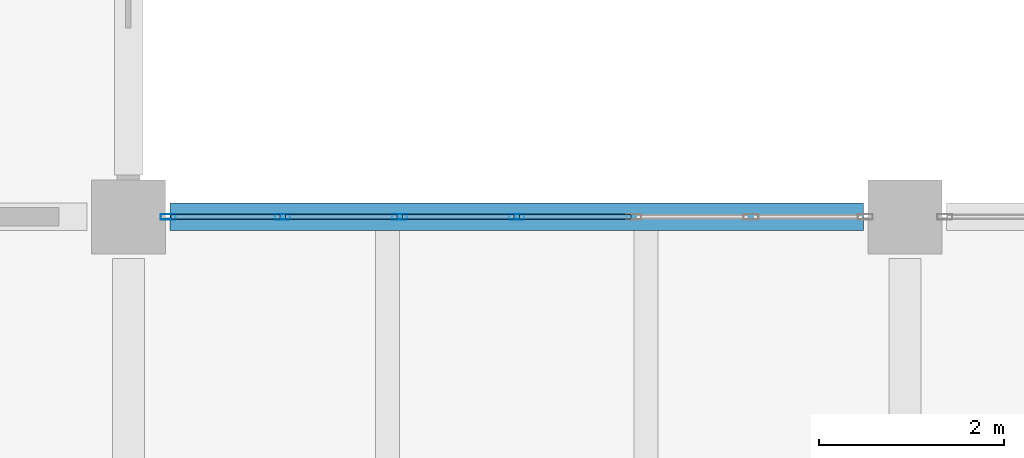
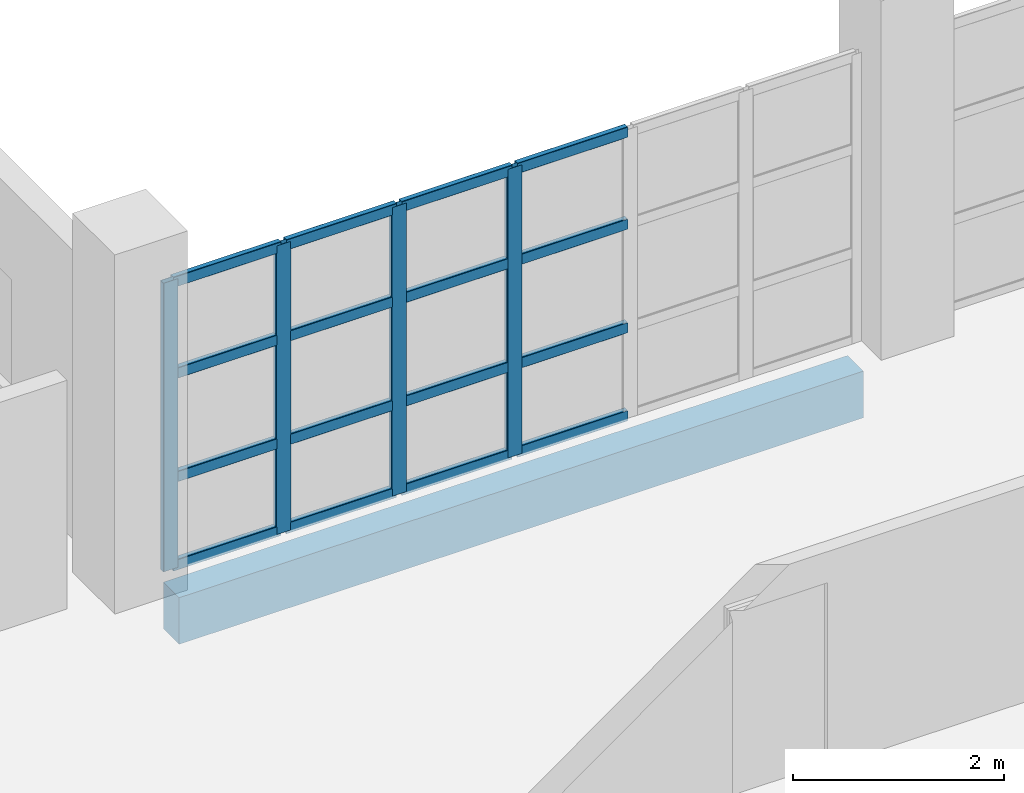
# One storey, part 23 of 177: 20 members, 1 beam, 1 element without a shape of its own.
"""IFC4 building model written with IfcOpenShell, lengths in metres."""

from ifc_helpers import new_model, si_unit, direction, frame, origin, origin_2d, place, context, subcontext, project, spatial, rectangle, hollow_rectangle, extrude, material, layer, layer_set, material_profile, profile_set, type_object, element, aggregate, save


model = new_model("IFC4")

# Units and contexts
model_context = context("Model", 3, precision=1e-05, world=origin(), true_north=direction((0.0, 1.0)))
body_context = subcontext(model_context, "Body", "Model", "MODEL_VIEW")
ifc_project = project(units=[si_unit("LENGTHUNIT", "METRE"), si_unit("AREAUNIT", "SQUARE_METRE"), si_unit("VOLUMEUNIT", "CUBIC_METRE"), si_unit("PLANEANGLEUNIT", "RADIAN"), si_unit("MASSUNIT", "GRAM", prefix="KILO"), si_unit("THERMODYNAMICTEMPERATUREUNIT", "KELVIN"), si_unit("POWERUNIT", "WATT")], contexts=[model_context])

# Site, building, storey
site_placement = place(None, origin())
site = spatial("IfcSite", under=ifc_project, at=site_placement, CompositionType="ELEMENT")
building_placement = place(site_placement, origin())
building = spatial("IfcBuilding", under=site, at=building_placement, Name="Mavoryth Pier Ferry Terminal", CompositionType="ELEMENT")
storey_placement = place(building_placement, frame((0.0, 0.0, 5.43994140625)))
storey = spatial("IfcBuildingStorey", under=building, at=storey_placement, Name="L01", CompositionType="ELEMENT", Elevation=5.43994140625)

# Curtain wall, members
ifc_material_1 = material(Name="Anodised Aluminium and Solar-Control Low-E Glass", Category="aluminium")
ifc_layer = layer(ifc_material_1, 0.239990234375, Name="Anodised Aluminium and Solar-Control Low-E Glass", Category="aluminium")
ifc_layer_set = layer_set([ifc_layer], Name="Anodised Aluminium and Solar-Control Low-E Glass - CW-Operations-Mod1200")
curtain_wall_type = type_object("IfcCurtainWallType", Name="CW-Operations-Mod1200", PredefinedType="USERDEFINED", material=ifc_layer_set)
curtain_wall_placement = place(storey_placement, origin())
curtain_wall = element("IfcCurtainWall", 1, at=curtain_wall_placement, inside=storey, type_object=curtain_wall_type, Name="Curtain Wall CW-0122-113", ObjectType="UNITISED CURTAIN WALL", PredefinedType="USERDEFINED")
ifc_material_2 = material(Name="Anodised Aluminium EN AW-6063", Category="aluminium")
ifc_material_profile_1 = material_profile(ifc_material_2, hollow_rectangle(XDim=0.06005859375, YDim=0.1650390625, WallThickness=0.00390625, InnerFilletRadius=0.00390625, OuterFilletRadius=0.008056640625, at=origin_2d()), Name="AL-MULL 165x60x4", Category="aluminium")
ifc_profile_set_1 = profile_set([ifc_material_profile_1], Name="Anodised Aluminium EN AW-6063 - AL-MULL 165x60x4")
member_type_1 = type_object("IfcMemberType", Name="Mullion-Alum-165x60", PredefinedType="MULLION", material=ifc_profile_set_1)
member_1_placement = place(storey_placement, frame((63.0, 22.0, 0.0), z_axis=(0.0, 0.0, 1.0), x_axis=(0.0, -1.0, 0.0)))
member_1 = element("IfcMember", 2, at=member_1_placement, type_object=member_type_1, Name="CW06 mullion 4", PredefinedType="MULLION", context=body_context, shape_type="SweptSolid", body=[
    extrude(hollow_rectangle(XDim=0.06005859375, YDim=0.1650390625, WallThickness=0.00390625, InnerFilletRadius=0.00390625, OuterFilletRadius=0.008056640625, at=origin_2d()), origin(), (0.0, 0.0, 1.0), 3.344970703125),
])
member_2_placement = place(storey_placement, frame((61.7333984375, 22.0, 0.0), z_axis=(0.0, 0.0, 1.0), x_axis=(0.0, -1.0, 0.0)))
member_2 = element("IfcMember", 3, at=member_2_placement, type_object=member_type_1, Name="CW06 mullion 5", PredefinedType="MULLION", context=body_context, shape_type="SweptSolid", body=[
    extrude(hollow_rectangle(XDim=0.06005859375, YDim=0.1650390625, WallThickness=0.00390625, InnerFilletRadius=0.00390625, OuterFilletRadius=0.008056640625, at=origin_2d()), origin(), (0.0, 0.0, 1.0), 3.344970703125),
])
member_3_placement = place(storey_placement, frame((60.466552734375, 22.0, 0.0), z_axis=(0.0, 0.0, 1.0), x_axis=(0.0, -1.0, 0.0)))
member_3 = element("IfcMember", 4, at=member_3_placement, type_object=member_type_1, Name="CW06 mullion 6", PredefinedType="MULLION", context=body_context, shape_type="SweptSolid", body=[
    extrude(hollow_rectangle(XDim=0.06005859375, YDim=0.1650390625, WallThickness=0.00390625, InnerFilletRadius=0.00390625, OuterFilletRadius=0.008056640625, at=origin_2d()), origin(), (0.0, 0.0, 1.0), 3.344970703125),
])
member_4_placement = place(storey_placement, frame((59.22998046875, 22.0, 0.0), z_axis=(0.0, 0.0, 1.0), x_axis=(0.0, -1.0, 0.0)))
member_4 = element("IfcMember", 5, at=member_4_placement, type_object=member_type_1, Name="CW06 mullion 7", PredefinedType="MULLION", context=body_context, shape_type="SweptSolid", body=[
    extrude(hollow_rectangle(XDim=0.06005859375, YDim=0.1650390625, WallThickness=0.00390625, InnerFilletRadius=0.00390625, OuterFilletRadius=0.008056640625, at=origin_2d()), origin(), (0.0, 0.0, 1.0), 3.344970703125),
])

# Beam
ifc_material_3 = material(Name="Concrete C35/45", Category="concrete")
ifc_material_profile_2 = material_profile(ifc_material_3, rectangle(XDim=0.300048828125, YDim=0.5400390625, at=origin_2d()), Name="RC 300x540", Category="concrete")
ifc_profile_set_2 = profile_set([ifc_material_profile_2], Name="Concrete C35/45 - RC 300x540")
beam_type = type_object("IfcBeamType", Name="Spandrel-RC-300x540", PredefinedType="SPANDREL", material=ifc_profile_set_2)
beam_placement = place(storey_placement, frame((59.25, 22.0, -0.530029296875), z_axis=(1.0, 0.0, 0.0), x_axis=(0.0, 1.0, 0.0)))
element("IfcBeam", 6, at=beam_placement, inside=storey, type_object=beam_type, Name="Beam B01-SP02-0530", PredefinedType="SPANDREL", context=body_context, shape_type="SweptSolid", body=[
    extrude(rectangle(XDim=0.300048828125, YDim=0.5400390625, at=origin_2d()), origin(), (0.0, 0.0, 1.0), 7.5),
])

# Member
ifc_material_profile_3 = material_profile(ifc_material_2, hollow_rectangle(XDim=0.06005859375, YDim=0.125, WallThickness=0.00390625, InnerFilletRadius=0.00390625, OuterFilletRadius=0.008056640625, at=origin_2d()), Name="AL-TRAN 125x60x4", Category="aluminium")
ifc_profile_set_3 = profile_set([ifc_material_profile_3], Name="Anodised Aluminium EN AW-6063 - AL-TRAN 125x60x4")
member_type_2 = type_object("IfcMemberType", Name="Transom-Alum-125x60", PredefinedType="USERDEFINED", material=ifc_profile_set_3)
member_5_placement = place(storey_placement, frame((64.236572265625, 22.0, 0.030029296875), z_axis=(-1.0, 0.0, 0.0), x_axis=(0.0, -1.0, 0.0)))
member_5 = element("IfcMember", 7, at=member_5_placement, type_object=member_type_2, Name="CW06 transom 3.1", ObjectType="TRANSOM", PredefinedType="USERDEFINED", context=body_context, shape_type="SweptSolid", body=[
    extrude(hollow_rectangle(XDim=0.06005859375, YDim=0.125, WallThickness=0.00390625, InnerFilletRadius=0.00390625, OuterFilletRadius=0.008056640625, at=origin_2d()), origin(), (0.0, 0.0, 1.0), 1.20654296875),
])

member_6_placement = place(storey_placement, frame((64.236572265625, 22.0, 1.050048828125), z_axis=(-1.0, 0.0, 0.0), x_axis=(0.0, -1.0, 0.0)))
member_6 = element("IfcMember", 8, at=member_6_placement, type_object=member_type_2, Name="CW06 transom 3.2", ObjectType="TRANSOM", PredefinedType="USERDEFINED", context=body_context, shape_type="SweptSolid", body=[
    extrude(hollow_rectangle(XDim=0.06005859375, YDim=0.125, WallThickness=0.00390625, InnerFilletRadius=0.00390625, OuterFilletRadius=0.008056640625, at=origin_2d()), origin(), (0.0, 0.0, 1.0), 1.20654296875),
])

member_7_placement = place(storey_placement, frame((64.236572265625, 22.0, 2.25), z_axis=(-1.0, 0.0, 0.0), x_axis=(0.0, -1.0, 0.0)))
member_7 = element("IfcMember", 9, at=member_7_placement, type_object=member_type_2, Name="CW06 transom 3.3", ObjectType="TRANSOM", PredefinedType="USERDEFINED", context=body_context, shape_type="SweptSolid", body=[
    extrude(hollow_rectangle(XDim=0.06005859375, YDim=0.125, WallThickness=0.00390625, InnerFilletRadius=0.00390625, OuterFilletRadius=0.008056640625, at=origin_2d()), origin(), (0.0, 0.0, 1.0), 1.20654296875),
])

member_8_placement = place(storey_placement, frame((64.236572265625, 22.0, 3.31494140625), z_axis=(-1.0, 0.0, 0.0), x_axis=(0.0, -1.0, 0.0)))
member_8 = element("IfcMember", 10, at=member_8_placement, type_object=member_type_2, Name="CW06 transom 3.4", ObjectType="TRANSOM", PredefinedType="USERDEFINED", context=body_context, shape_type="SweptSolid", body=[
    extrude(hollow_rectangle(XDim=0.06005859375, YDim=0.125, WallThickness=0.00390625, InnerFilletRadius=0.00390625, OuterFilletRadius=0.008056640625, at=origin_2d()), origin(), (0.0, 0.0, 1.0), 1.20654296875),
])

member_9_placement = place(storey_placement, frame((62.969970703125, 22.0, 0.030029296875), z_axis=(-1.0, 0.0, 0.0), x_axis=(0.0, -1.0, 0.0)))
member_9 = element("IfcMember", 11, at=member_9_placement, type_object=member_type_2, Name="CW06 transom 4.1", ObjectType="TRANSOM", PredefinedType="USERDEFINED", context=body_context, shape_type="SweptSolid", body=[
    extrude(hollow_rectangle(XDim=0.06005859375, YDim=0.125, WallThickness=0.00390625, InnerFilletRadius=0.00390625, OuterFilletRadius=0.008056640625, at=origin_2d()), origin(), (0.0, 0.0, 1.0), 1.20654296875),
])

member_10_placement = place(storey_placement, frame((62.969970703125, 22.0, 1.050048828125), z_axis=(-1.0, 0.0, 0.0), x_axis=(0.0, -1.0, 0.0)))
member_10 = element("IfcMember", 12, at=member_10_placement, type_object=member_type_2, Name="CW06 transom 4.2", ObjectType="TRANSOM", PredefinedType="USERDEFINED", context=body_context, shape_type="SweptSolid", body=[
    extrude(hollow_rectangle(XDim=0.06005859375, YDim=0.125, WallThickness=0.00390625, InnerFilletRadius=0.00390625, OuterFilletRadius=0.008056640625, at=origin_2d()), origin(), (0.0, 0.0, 1.0), 1.20654296875),
])

member_11_placement = place(storey_placement, frame((62.969970703125, 22.0, 2.25), z_axis=(-1.0, 0.0, 0.0), x_axis=(0.0, -1.0, 0.0)))
member_11 = element("IfcMember", 13, at=member_11_placement, type_object=member_type_2, Name="CW06 transom 4.3", ObjectType="TRANSOM", PredefinedType="USERDEFINED", context=body_context, shape_type="SweptSolid", body=[
    extrude(hollow_rectangle(XDim=0.06005859375, YDim=0.125, WallThickness=0.00390625, InnerFilletRadius=0.00390625, OuterFilletRadius=0.008056640625, at=origin_2d()), origin(), (0.0, 0.0, 1.0), 1.20654296875),
])

member_12_placement = place(storey_placement, frame((62.969970703125, 22.0, 3.31494140625), z_axis=(-1.0, 0.0, 0.0), x_axis=(0.0, -1.0, 0.0)))
member_12 = element("IfcMember", 14, at=member_12_placement, type_object=member_type_2, Name="CW06 transom 4.4", ObjectType="TRANSOM", PredefinedType="USERDEFINED", context=body_context, shape_type="SweptSolid", body=[
    extrude(hollow_rectangle(XDim=0.06005859375, YDim=0.125, WallThickness=0.00390625, InnerFilletRadius=0.00390625, OuterFilletRadius=0.008056640625, at=origin_2d()), origin(), (0.0, 0.0, 1.0), 1.20654296875),
])

member_13_placement = place(storey_placement, frame((61.703369140625, 22.0, 0.030029296875), z_axis=(-1.0, 0.0, 0.0), x_axis=(0.0, -1.0, 0.0)))
member_13 = element("IfcMember", 15, at=member_13_placement, type_object=member_type_2, Name="CW06 transom 5.1", ObjectType="TRANSOM", PredefinedType="USERDEFINED", context=body_context, shape_type="SweptSolid", body=[
    extrude(hollow_rectangle(XDim=0.06005859375, YDim=0.125, WallThickness=0.00390625, InnerFilletRadius=0.00390625, OuterFilletRadius=0.008056640625, at=origin_2d()), origin(), (0.0, 0.0, 1.0), 1.206787109375),
])

member_14_placement = place(storey_placement, frame((61.703369140625, 22.0, 1.050048828125), z_axis=(-1.0, 0.0, 0.0), x_axis=(0.0, -1.0, 0.0)))
member_14 = element("IfcMember", 16, at=member_14_placement, type_object=member_type_2, Name="CW06 transom 5.2", ObjectType="TRANSOM", PredefinedType="USERDEFINED", context=body_context, shape_type="SweptSolid", body=[
    extrude(hollow_rectangle(XDim=0.06005859375, YDim=0.125, WallThickness=0.00390625, InnerFilletRadius=0.00390625, OuterFilletRadius=0.008056640625, at=origin_2d()), origin(), (0.0, 0.0, 1.0), 1.206787109375),
])

member_15_placement = place(storey_placement, frame((61.703369140625, 22.0, 2.25), z_axis=(-1.0, 0.0, 0.0), x_axis=(0.0, -1.0, 0.0)))
member_15 = element("IfcMember", 17, at=member_15_placement, type_object=member_type_2, Name="CW06 transom 5.3", ObjectType="TRANSOM", PredefinedType="USERDEFINED", context=body_context, shape_type="SweptSolid", body=[
    extrude(hollow_rectangle(XDim=0.06005859375, YDim=0.125, WallThickness=0.00390625, InnerFilletRadius=0.00390625, OuterFilletRadius=0.008056640625, at=origin_2d()), origin(), (0.0, 0.0, 1.0), 1.206787109375),
])

member_16_placement = place(storey_placement, frame((61.703369140625, 22.0, 3.31494140625), z_axis=(-1.0, 0.0, 0.0), x_axis=(0.0, -1.0, 0.0)))
member_16 = element("IfcMember", 18, at=member_16_placement, type_object=member_type_2, Name="CW06 transom 5.4", ObjectType="TRANSOM", PredefinedType="USERDEFINED", context=body_context, shape_type="SweptSolid", body=[
    extrude(hollow_rectangle(XDim=0.06005859375, YDim=0.125, WallThickness=0.00390625, InnerFilletRadius=0.00390625, OuterFilletRadius=0.008056640625, at=origin_2d()), origin(), (0.0, 0.0, 1.0), 1.206787109375),
])

member_17_placement = place(storey_placement, frame((60.436767578125, 22.0, 0.030029296875), z_axis=(-1.0, 0.0, 0.0), x_axis=(0.0, -1.0, 0.0)))
member_17 = element("IfcMember", 19, at=member_17_placement, type_object=member_type_2, Name="CW06 transom 6.1", ObjectType="TRANSOM", PredefinedType="USERDEFINED", context=body_context, shape_type="SweptSolid", body=[
    extrude(hollow_rectangle(XDim=0.06005859375, YDim=0.125, WallThickness=0.00390625, InnerFilletRadius=0.00390625, OuterFilletRadius=0.008056640625, at=origin_2d()), origin(), (0.0, 0.0, 1.0), 1.1767578125),
])

member_18_placement = place(storey_placement, frame((60.436767578125, 22.0, 1.050048828125), z_axis=(-1.0, 0.0, 0.0), x_axis=(0.0, -1.0, 0.0)))
member_18 = element("IfcMember", 20, at=member_18_placement, type_object=member_type_2, Name="CW06 transom 6.2", ObjectType="TRANSOM", PredefinedType="USERDEFINED", context=body_context, shape_type="SweptSolid", body=[
    extrude(hollow_rectangle(XDim=0.06005859375, YDim=0.125, WallThickness=0.00390625, InnerFilletRadius=0.00390625, OuterFilletRadius=0.008056640625, at=origin_2d()), origin(), (0.0, 0.0, 1.0), 1.1767578125),
])

member_19_placement = place(storey_placement, frame((60.436767578125, 22.0, 2.25), z_axis=(-1.0, 0.0, 0.0), x_axis=(0.0, -1.0, 0.0)))
member_19 = element("IfcMember", 21, at=member_19_placement, type_object=member_type_2, Name="CW06 transom 6.3", ObjectType="TRANSOM", PredefinedType="USERDEFINED", context=body_context, shape_type="SweptSolid", body=[
    extrude(hollow_rectangle(XDim=0.06005859375, YDim=0.125, WallThickness=0.00390625, InnerFilletRadius=0.00390625, OuterFilletRadius=0.008056640625, at=origin_2d()), origin(), (0.0, 0.0, 1.0), 1.1767578125),
])

member_20_placement = place(storey_placement, frame((60.436767578125, 22.0, 3.31494140625), z_axis=(-1.0, 0.0, 0.0), x_axis=(0.0, -1.0, 0.0)))
member_20 = element("IfcMember", 22, at=member_20_placement, type_object=member_type_2, Name="CW06 transom 6.4", ObjectType="TRANSOM", PredefinedType="USERDEFINED", context=body_context, shape_type="SweptSolid", body=[
    extrude(hollow_rectangle(XDim=0.06005859375, YDim=0.125, WallThickness=0.00390625, InnerFilletRadius=0.00390625, OuterFilletRadius=0.008056640625, at=origin_2d()), origin(), (0.0, 0.0, 1.0), 1.1767578125),
])

aggregate(curtain_wall, [member_1, member_2, member_3, member_4, member_5, member_6, member_7, member_8, member_9, member_10, member_11, member_12, member_13, member_14, member_15, member_16, member_17, member_18, member_19, member_20])

save(model, "model.ifc")
